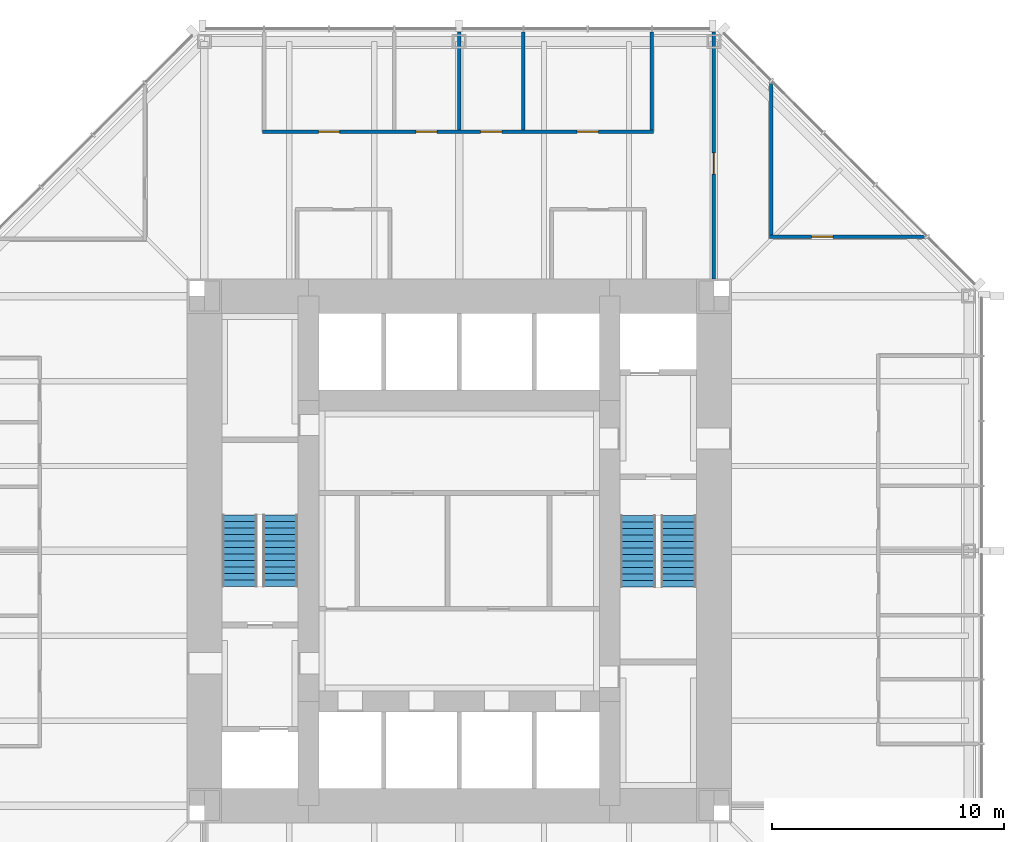
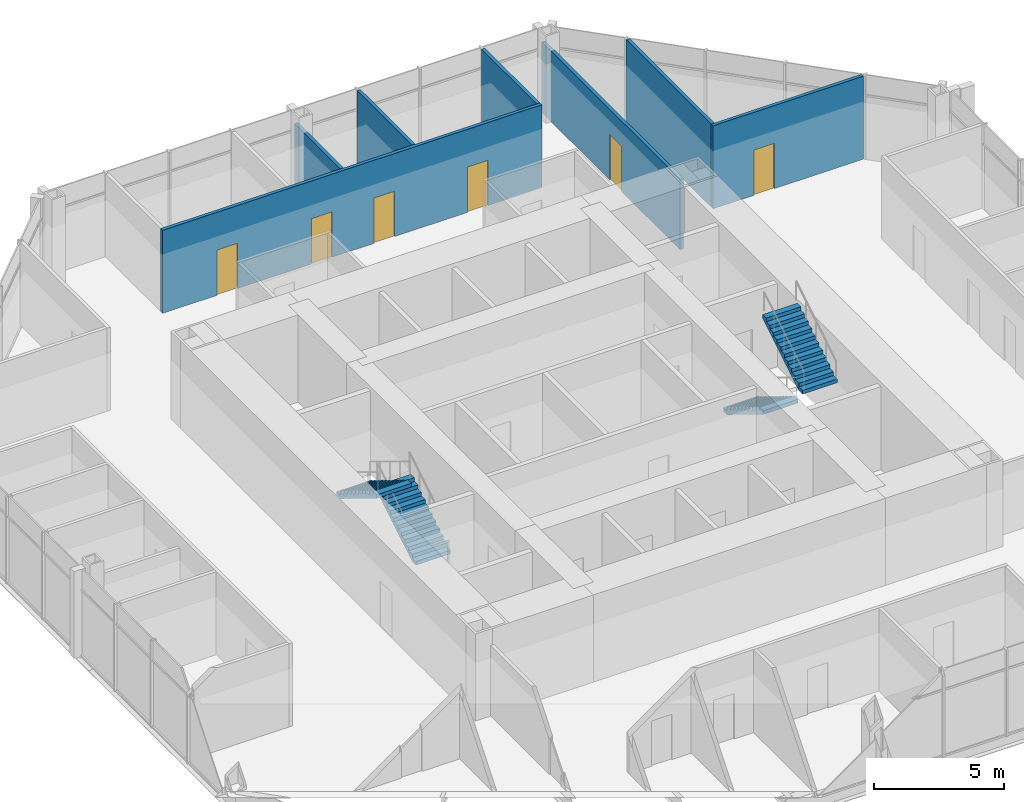
# One storey, part 11 of 12: 7 walls, 6 doors, 4 stair flights, 6 openings, 2 elements without a shape of their own.
"""IFC4 building model written with IfcOpenShell, lengths in metres."""

from ifc_helpers import new_model, si_unit, direction, frame, frame_2d, origin, place, context, subcontext, project, spatial, polyline, rectangle, outline, extrude, material, layer, layer_set, type_object, element, fill, aggregate, save


model = new_model("IFC4")

# Units and contexts
model_context = context("Model", 3, precision=1e-05, world=origin(), true_north=direction((0.0, 1.0)))
body_context = subcontext(model_context, "Body", "Model", "MODEL_VIEW")
ifc_project = project(units=[si_unit("LENGTHUNIT", "METRE"), si_unit("AREAUNIT", "SQUARE_METRE"), si_unit("VOLUMEUNIT", "CUBIC_METRE"), si_unit("PLANEANGLEUNIT", "RADIAN"), si_unit("MASSUNIT", "GRAM", prefix="KILO")], contexts=[model_context])

# Site, building, storey
site_placement = place(None, origin())
site = spatial("IfcSite", under=ifc_project, at=site_placement, CompositionType="ELEMENT")
building_placement = place(site_placement, origin())
building = spatial("IfcBuilding", under=site, at=building_placement, Name="Trevanion Tower", CompositionType="ELEMENT")
storey_placement = place(building_placement, frame((0.0, 0.0, 162.300048828125)))
storey = spatial("IfcBuildingStorey", under=building, at=storey_placement, Name="L38", CompositionType="ELEMENT", Elevation=162.300048828125)

# Wall, opening, door
ifc_material_1 = material(Name="Gypsum board on steel studs", Category="steel")
ifc_layer = layer(ifc_material_1, 0.14990234375)
ifc_layer_set = layer_set([ifc_layer], Name="PT1 partition 150")
wall_type = type_object("IfcWallType", Name="PT1 partition 150", PredefinedType="PARTITIONING", material=ifc_layer_set)
wall_1_placement = place(storey_placement, frame((11.0, 11.75, 0.0), z_axis=(0.0, 0.0, 1.0), x_axis=(0.0, 1.0, 0.0)))
wall_1 = element("IfcWall", 1, at=wall_1_placement, inside=storey, type_object=wall_type, Name="PT1 L38 ZW0", PredefinedType="PARTITIONING", context=body_context, shape_type="SweptSolid", body=[
    extrude(rectangle(XDim=10.6650390625, YDim=0.14990234375, at=frame_2d((5.33251953125, 0.0))), origin(), (0.0, 0.0, 1.0), 3.32568359375),
])
opening_1_placement = place(wall_1_placement, frame((4.517578125, 0.0, 0.0)))
opening_1 = element("IfcOpeningElement", 2, at=opening_1_placement, cuts=wall_1, Name="Opening 38-019", PredefinedType="OPENING", context=body_context, shape_type="SweptSolid", body=[
    extrude(rectangle(XDim=0.9150390625, YDim=2.134033203125, at=frame_2d((0.45751953125, 1.06689453125))), frame((0.0, 0.0849609375, 0.0), z_axis=(0.0, -1.0, 0.0), x_axis=(1.0, 0.0, 0.0)), (0.0, 0.0, 1.0), 0.169921875),
])
ifc_material_2 = material(Name="Timber veneer, solid core", Category="wood")
door_type = type_object("IfcDoorType", Name="D1 office and meeting room door", OperationType="SINGLE_SWING_LEFT", PredefinedType="DOOR", material=ifc_material_2)
door_1_placement = place(opening_1_placement, origin())
door_1 = element("IfcDoor", 3, at=door_1_placement, inside=storey, type_object=door_type, Name="Door 38-019", OperationType="SINGLE_SWING_LEFT", OverallHeight=2.134033203125, OverallWidth=0.9150390625, PredefinedType="DOOR", context=body_context, shape_type="SweptSolid", body=[
    extrude(rectangle(XDim=0.9150390625, YDim=2.134033203125, at=frame_2d((0.45751953125, 1.06689453125))), frame((0.0, 0.02490234375, 0.0), z_axis=(0.0, -1.0, 0.0), x_axis=(1.0, 0.0, 0.0)), (0.0, 0.0, 1.0), 0.050048828125),
])
fill(opening_1, door_1)

wall_2_placement = place(storey_placement, frame((13.39892578125, 13.56591796875, 0.0), z_axis=(0.0, 0.0, 1.0), x_axis=(1.0, 0.0, 0.0)))
wall_2 = element("IfcWall", 4, at=wall_2_placement, inside=storey, type_object=wall_type, Name="PT1 L38 KW0a", PredefinedType="PARTITIONING", context=body_context, shape_type="SweptSolid", body=[
    extrude(rectangle(XDim=6.697998046875, YDim=0.14990234375, at=frame_2d((3.34912109375, 0.0))), origin(), (0.0, 0.0, 1.0), 3.909912109375),
])
opening_2_placement = place(wall_2_placement, frame((1.8173828125, 0.0, 0.0)))
opening_2 = element("IfcOpeningElement", 5, at=opening_2_placement, cuts=wall_2, Name="Opening 38-022", PredefinedType="OPENING", context=body_context, shape_type="SweptSolid", body=[
    extrude(rectangle(XDim=0.9150390625, YDim=2.134033203125, at=frame_2d((0.45751953125, 1.06689453125))), frame((0.0, 0.0849609375, 0.0), z_axis=(0.0, -1.0, 0.0), x_axis=(1.0, 0.0, 0.0)), (0.0, 0.0, 1.0), 0.169921875),
])
door_2_placement = place(opening_2_placement, origin())
door_2 = element("IfcDoor", 6, at=door_2_placement, inside=storey, type_object=door_type, Name="Door 38-022", OperationType="SINGLE_SWING_LEFT", OverallHeight=2.134033203125, OverallWidth=0.9150390625, PredefinedType="DOOR", context=body_context, shape_type="SweptSolid", body=[
    extrude(rectangle(XDim=0.9150390625, YDim=2.134033203125, at=frame_2d((0.45751953125, 1.06689453125))), frame((0.0, 0.02490234375, 0.0), z_axis=(0.0, -1.0, 0.0), x_axis=(1.0, 0.0, 0.0)), (0.0, 0.0, 1.0), 0.050048828125),
])
fill(opening_2, door_2)

# Wall
wall_3_placement = place(storey_placement, frame((13.47412109375, 13.64111328125, 0.0), z_axis=(0.0, 0.0, 1.0), x_axis=(0.0, 1.0, 0.0)))
element("IfcWall", 7, at=wall_3_placement, inside=storey, type_object=wall_type, Name="PT1 L38 KW0b", PredefinedType="PARTITIONING", context=body_context, shape_type="SweptSolid", body=[
    extrude(rectangle(XDim=6.5478515625, YDim=0.14990234375, at=frame_2d((3.27392578125, 0.0))), origin(), (0.0, 0.0, 1.0), 3.909912109375),
])

# Wall, openings, doors
wall_4_placement = place(storey_placement, frame((8.39794921875, 18.10009765625, 0.0), z_axis=(0.0, 0.0, 1.0), x_axis=(-1.0, 0.0, 0.0)))
wall_4 = element("IfcWall", 8, at=wall_4_placement, inside=storey, type_object=wall_type, Name="PT1 L38 FC1F", PredefinedType="PARTITIONING", context=body_context, shape_type="SweptSolid", body=[
    extrude(rectangle(XDim=16.89404296875, YDim=0.14990234375, at=frame_2d((8.447021484375, 0.0))), origin(), (0.0, 0.0, 1.0), 3.909912109375),
])
opening_3_placement = place(wall_4_placement, frame((2.3916015625, 0.0, 0.0)))
opening_3 = element("IfcOpeningElement", 9, at=opening_3_placement, cuts=wall_4, Name="Opening 38-031", PredefinedType="OPENING", context=body_context, shape_type="SweptSolid", body=[
    extrude(rectangle(XDim=0.9150390625, YDim=2.134033203125, at=frame_2d((0.45751953125, 1.06689453125))), frame((0.0, 0.0849609375, 0.0), z_axis=(0.0, -1.0, 0.0), x_axis=(1.0, 0.0, 0.0)), (0.0, 0.0, 1.0), 0.169921875),
])
opening_4_placement = place(wall_4_placement, frame((6.552978515625, 0.0, 0.0)))
opening_4 = element("IfcOpeningElement", 10, at=opening_4_placement, cuts=wall_4, Name="Opening 38-032", PredefinedType="OPENING", context=body_context, shape_type="SweptSolid", body=[
    extrude(rectangle(XDim=0.9150390625, YDim=2.134033203125, at=frame_2d((0.45751953125, 1.06689453125))), frame((0.0, 0.0849609375, 0.0), z_axis=(0.0, -1.0, 0.0), x_axis=(1.0, 0.0, 0.0)), (0.0, 0.0, 1.0), 0.169921875),
])
opening_5_placement = place(wall_4_placement, frame((9.343994140625, 0.0, 0.0)))
opening_5 = element("IfcOpeningElement", 11, at=opening_5_placement, cuts=wall_4, Name="Opening 38-033", PredefinedType="OPENING", context=body_context, shape_type="SweptSolid", body=[
    extrude(rectangle(XDim=0.9150390625, YDim=2.134033203125, at=frame_2d((0.45751953125, 1.06689453125))), frame((0.0, 0.0849609375, 0.0), z_axis=(0.0, -1.0, 0.0), x_axis=(1.0, 0.0, 0.0)), (0.0, 0.0, 1.0), 0.169921875),
])
opening_6_placement = place(wall_4_placement, frame((13.554443359375, 0.0, 0.0)))
opening_6 = element("IfcOpeningElement", 12, at=opening_6_placement, cuts=wall_4, Name="Opening 38-034", PredefinedType="OPENING", context=body_context, shape_type="SweptSolid", body=[
    extrude(rectangle(XDim=0.9150390625, YDim=2.134033203125, at=frame_2d((0.45751953125, 1.06689453125))), frame((0.0, 0.0849609375, 0.0), z_axis=(0.0, -1.0, 0.0), x_axis=(1.0, 0.0, 0.0)), (0.0, 0.0, 1.0), 0.169921875),
])
door_3_placement = place(opening_3_placement, origin())
door_3 = element("IfcDoor", 13, at=door_3_placement, inside=storey, type_object=door_type, Name="Door 38-031", OperationType="SINGLE_SWING_LEFT", OverallHeight=2.134033203125, OverallWidth=0.9150390625, PredefinedType="DOOR", context=body_context, shape_type="SweptSolid", body=[
    extrude(rectangle(XDim=0.9150390625, YDim=2.134033203125, at=frame_2d((0.45751953125, 1.06689453125))), frame((0.0, 0.02490234375, 0.0), z_axis=(0.0, -1.0, 0.0), x_axis=(1.0, 0.0, 0.0)), (0.0, 0.0, 1.0), 0.050048828125),
])
fill(opening_3, door_3)
door_4_placement = place(opening_4_placement, origin())
door_4 = element("IfcDoor", 14, at=door_4_placement, inside=storey, type_object=door_type, Name="Door 38-032", OperationType="SINGLE_SWING_LEFT", OverallHeight=2.134033203125, OverallWidth=0.9150390625, PredefinedType="DOOR", context=body_context, shape_type="SweptSolid", body=[
    extrude(rectangle(XDim=0.9150390625, YDim=2.134033203125, at=frame_2d((0.45751953125, 1.06689453125))), frame((0.0, 0.02490234375, 0.0), z_axis=(0.0, -1.0, 0.0), x_axis=(1.0, 0.0, 0.0)), (0.0, 0.0, 1.0), 0.050048828125),
])
fill(opening_4, door_4)
door_5_placement = place(opening_5_placement, origin())
door_5 = element("IfcDoor", 15, at=door_5_placement, inside=storey, type_object=door_type, Name="Door 38-033", OperationType="SINGLE_SWING_LEFT", OverallHeight=2.134033203125, OverallWidth=0.9150390625, PredefinedType="DOOR", context=body_context, shape_type="SweptSolid", body=[
    extrude(rectangle(XDim=0.9150390625, YDim=2.134033203125, at=frame_2d((0.45751953125, 1.06689453125))), frame((0.0, 0.02490234375, 0.0), z_axis=(0.0, -1.0, 0.0), x_axis=(1.0, 0.0, 0.0)), (0.0, 0.0, 1.0), 0.050048828125),
])
fill(opening_5, door_5)
door_6_placement = place(opening_6_placement, origin())
door_6 = element("IfcDoor", 16, at=door_6_placement, inside=storey, type_object=door_type, Name="Door 38-034", OperationType="SINGLE_SWING_LEFT", OverallHeight=2.134033203125, OverallWidth=0.9150390625, PredefinedType="DOOR", context=body_context, shape_type="SweptSolid", body=[
    extrude(rectangle(XDim=0.9150390625, YDim=2.134033203125, at=frame_2d((0.45751953125, 1.06689453125))), frame((0.0, 0.02490234375, 0.0), z_axis=(0.0, -1.0, 0.0), x_axis=(1.0, 0.0, 0.0)), (0.0, 0.0, 1.0), 0.050048828125),
])
fill(opening_6, door_6)

# Walls
for number, where, z_axis, x_axis, name in (
    (17, (8.322998046875, 18.175048828125, 0.0), (0.0, 0.0, 1.0), (0.0, 1.0, 0.0), "PT1 L38 FC1S0"),
    (18, (2.77490234375, 18.175048828125, 0.0), (0.0, 0.0, 1.0), (0.0, 1.0, 0.0), "PT1 L38 FC1S2"),
):
    element("IfcWall", number, at=place(storey_placement, frame(where, z_axis=z_axis, x_axis=x_axis)), inside=storey, type_object=wall_type, Name=name, PredefinedType="PARTITIONING", context=body_context, shape_type="SweptSolid", body=[
        extrude(rectangle(XDim=4.239990234375, YDim=0.14990234375, at=frame_2d((2.1201171875, 0.0))), origin(), (0.0, 0.0, 1.0), 3.909912109375),
    ])
wall_5_placement = place(storey_placement, frame((0.0, 18.175048828125, 0.0), z_axis=(0.0, 0.0, 1.0), x_axis=(0.0, 1.0, 0.0)))
element("IfcWall", 19, at=wall_5_placement, inside=storey, type_object=wall_type, Name="PT1 L38 FC1S3", PredefinedType="PARTITIONING", context=body_context, shape_type="SweptSolid", body=[
    extrude(rectangle(XDim=4.239990234375, YDim=0.14990234375, at=frame_2d((2.1201171875, 0.0))), origin(), (0.0, 0.0, 1.0), 3.32568359375),
])

# Stair, stair flights
ifc_material_3 = material(Name="Concrete 5,000 psi on steel stringers", Category="concrete")
stair_type = type_object("IfcStairType", Name="ST stair", PredefinedType="HALF_TURN_STAIR", material=ifc_material_3)
stair_1_placement = place(storey_placement, origin())
stair_1 = element("IfcStair", 20, at=stair_1_placement, inside=storey, type_object=stair_type, Name="ST1 L38", PredefinedType="HALF_TURN_STAIR")
ifc_material_4 = material(Name="Concrete 5,000 psi in steel pan", Category="concrete")
stair_flight_type = type_object("IfcStairFlightType", Name="STF stair flight", PredefinedType="STRAIGHT", material=ifc_material_4)
stair_flight_1_placement = place(storey_placement, frame((7.72509765625, 1.52490234375, 0.0), z_axis=(0.0, 0.0, 1.0), x_axis=(0.0, -1.0, 0.0)))
stair_flight_1 = element("IfcStairFlight", 21, at=stair_flight_1_placement, type_object=stair_flight_type, Name="ST1 flight 1", NumberOfRisers=12, NumberOfTreads=11, PredefinedType="STRAIGHT", RiserHeight=0.170833333, TreadLength=0.28, context=body_context, shape_type="SweptSolid", body=[
    extrude(outline(polyline([(0.0, 0.0), (0.0, 0.1708984375), (0.280029296875, 0.1708984375), (0.280029296875, 0.341552734375), (0.56005859375, 0.341552734375), (0.56005859375, 0.512451171875), (0.840087890625, 0.512451171875), (0.840087890625, 0.683349609375), (1.1201171875, 0.683349609375), (1.1201171875, 0.854248046875), (1.39990234375, 0.854248046875), (1.39990234375, 1.02490234375), (1.679931640625, 1.02490234375), (1.679931640625, 1.19580078125), (1.9599609375, 1.19580078125), (1.9599609375, 1.36669921875), (2.239990234375, 1.36669921875), (2.239990234375, 1.53759765625), (2.52001953125, 1.53759765625), (2.52001953125, 1.708251953125), (2.800048828125, 1.708251953125), (2.800048828125, 1.879150390625), (3.080078125, 1.879150390625), (3.080078125, 2.050048828125), (3.080078125, 1.70361328125), (0.287841796875, 0.0), (0.0, 0.0)])), frame((0.0, 0.77490234375, 0.0), z_axis=(0.0, -1.0, 0.0), x_axis=(1.0, 0.0, 0.0)), (0.0, 0.0, 1.0), 1.550048828125),
])
stair_flight_2_placement = place(storey_placement, frame((9.47509765625, -1.554931640625, 2.050048828125), z_axis=(0.0, 0.0, 1.0), x_axis=(0.0, 1.0, 0.0)))
stair_flight_2 = element("IfcStairFlight", 22, at=stair_flight_2_placement, type_object=stair_flight_type, Name="ST1 flight 2", NumberOfRisers=12, NumberOfTreads=11, PredefinedType="STRAIGHT", RiserHeight=0.170833333, TreadLength=0.28, context=body_context, shape_type="SweptSolid", body=[
    extrude(outline(polyline([(0.0, 0.0), (0.0, 0.1708984375), (0.280029296875, 0.1708984375), (0.280029296875, 0.341552734375), (0.56005859375, 0.341552734375), (0.56005859375, 0.512451171875), (0.840087890625, 0.512451171875), (0.840087890625, 0.683349609375), (1.1201171875, 0.683349609375), (1.1201171875, 0.854248046875), (1.39990234375, 0.854248046875), (1.39990234375, 1.02490234375), (1.679931640625, 1.02490234375), (1.679931640625, 1.19580078125), (1.9599609375, 1.19580078125), (1.9599609375, 1.36669921875), (2.239990234375, 1.36669921875), (2.239990234375, 1.53759765625), (2.52001953125, 1.53759765625), (2.52001953125, 1.708251953125), (2.800048828125, 1.708251953125), (2.800048828125, 1.879150390625), (3.080078125, 1.879150390625), (3.080078125, 2.050048828125), (3.080078125, 1.70361328125), (0.287841796875, 0.0), (0.0, 0.0)])), frame((0.0, 0.77490234375, 0.0), z_axis=(0.0, -1.0, 0.0), x_axis=(1.0, 0.0, 0.0)), (0.0, 0.0, 1.0), 1.550048828125),
])
aggregate(stair_1, [stair_flight_1, stair_flight_2])

stair_2_placement = place(storey_placement, origin())
stair_2 = element("IfcStair", 23, at=stair_2_placement, inside=storey, type_object=stair_type, Name="ST2 L38", PredefinedType="HALF_TURN_STAIR")
stair_flight_3_placement = place(storey_placement, frame((-7.72509765625, -1.52490234375, 0.0), z_axis=(0.0, 0.0, 1.0), x_axis=(0.0, 1.0, 0.0)))
stair_flight_3 = element("IfcStairFlight", 24, at=stair_flight_3_placement, type_object=stair_flight_type, Name="ST2 flight 1", NumberOfRisers=12, NumberOfTreads=11, PredefinedType="STRAIGHT", RiserHeight=0.170833333, TreadLength=0.28, context=body_context, shape_type="SweptSolid", body=[
    extrude(outline(polyline([(0.0, 0.0), (0.0, 0.1708984375), (0.280029296875, 0.1708984375), (0.280029296875, 0.341552734375), (0.56005859375, 0.341552734375), (0.56005859375, 0.512451171875), (0.840087890625, 0.512451171875), (0.840087890625, 0.683349609375), (1.1201171875, 0.683349609375), (1.1201171875, 0.854248046875), (1.39990234375, 0.854248046875), (1.39990234375, 1.02490234375), (1.679931640625, 1.02490234375), (1.679931640625, 1.19580078125), (1.9599609375, 1.19580078125), (1.9599609375, 1.36669921875), (2.239990234375, 1.36669921875), (2.239990234375, 1.53759765625), (2.52001953125, 1.53759765625), (2.52001953125, 1.708251953125), (2.800048828125, 1.708251953125), (2.800048828125, 1.879150390625), (3.080078125, 1.879150390625), (3.080078125, 2.050048828125), (3.080078125, 1.70361328125), (0.287841796875, 0.0), (0.0, 0.0)])), frame((0.0, 0.77490234375, 0.0), z_axis=(0.0, -1.0, 0.0), x_axis=(1.0, 0.0, 0.0)), (0.0, 0.0, 1.0), 1.550048828125),
])
stair_flight_4_placement = place(storey_placement, frame((-9.47509765625, 1.554931640625, 2.050048828125), z_axis=(0.0, 0.0, 1.0), x_axis=(0.0, -1.0, 0.0)))
stair_flight_4 = element("IfcStairFlight", 25, at=stair_flight_4_placement, type_object=stair_flight_type, Name="ST2 flight 2", NumberOfRisers=12, NumberOfTreads=11, PredefinedType="STRAIGHT", RiserHeight=0.170833333, TreadLength=0.28, context=body_context, shape_type="SweptSolid", body=[
    extrude(outline(polyline([(0.0, 0.0), (0.0, 0.1708984375), (0.280029296875, 0.1708984375), (0.280029296875, 0.341552734375), (0.56005859375, 0.341552734375), (0.56005859375, 0.512451171875), (0.840087890625, 0.512451171875), (0.840087890625, 0.683349609375), (1.1201171875, 0.683349609375), (1.1201171875, 0.854248046875), (1.39990234375, 0.854248046875), (1.39990234375, 1.02490234375), (1.679931640625, 1.02490234375), (1.679931640625, 1.19580078125), (1.9599609375, 1.19580078125), (1.9599609375, 1.36669921875), (2.239990234375, 1.36669921875), (2.239990234375, 1.53759765625), (2.52001953125, 1.53759765625), (2.52001953125, 1.708251953125), (2.800048828125, 1.708251953125), (2.800048828125, 1.879150390625), (3.080078125, 1.879150390625), (3.080078125, 2.050048828125), (3.080078125, 1.70361328125), (0.287841796875, 0.0), (0.0, 0.0)])), frame((0.0, 0.77490234375, 0.0), z_axis=(0.0, -1.0, 0.0), x_axis=(1.0, 0.0, 0.0)), (0.0, 0.0, 1.0), 1.550048828125),
])
aggregate(stair_2, [stair_flight_3, stair_flight_4])

save(model, "model.ifc")
